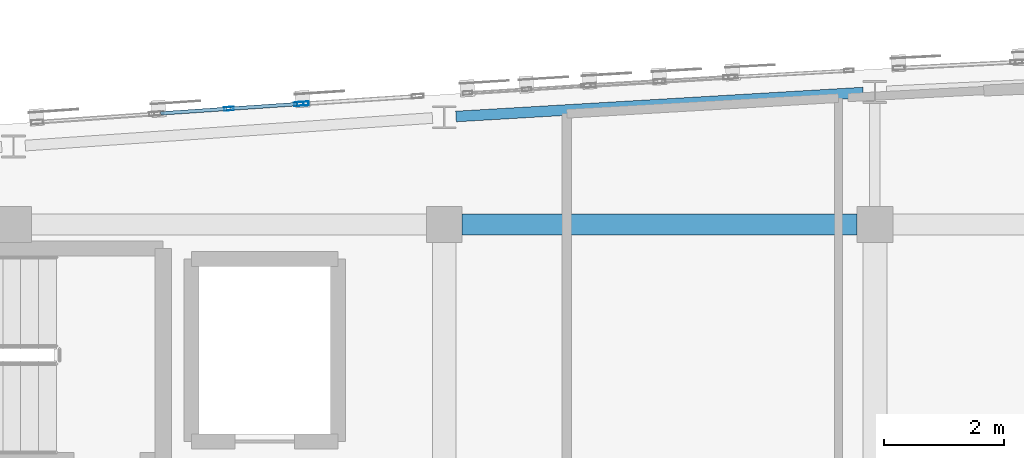
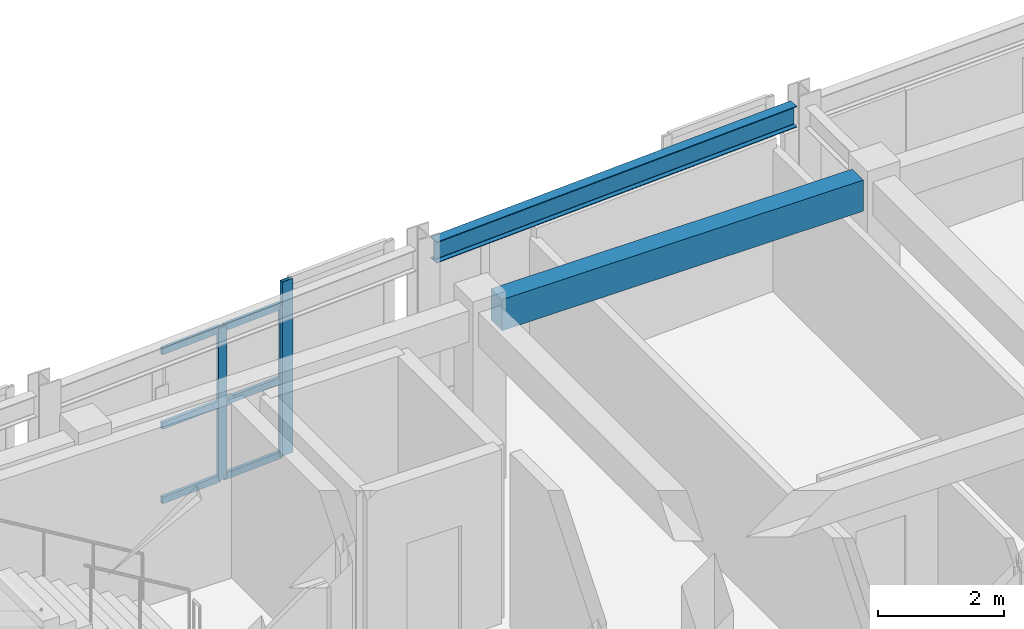
# One storey, part 11 of 45: 9 members, 2 beams, 2 elements without a shape of their own.
"""IFC4 building model written with IfcOpenShell, lengths in metres."""

from ifc_helpers import new_model, si_unit, direction, frame, origin, origin_2d, place, context, subcontext, project, spatial, rectangle, hollow_rectangle, i_section, extrude, material, layer, layer_set, material_profile, profile_set, type_object, element, aggregate, save


model = new_model("IFC4")

# Units and contexts
model_context = context("Model", 3, precision=1e-05, world=origin(), true_north=direction((0.0, 1.0)))
body_context = subcontext(model_context, "Body", "Model", "MODEL_VIEW")
ifc_project = project(units=[si_unit("LENGTHUNIT", "METRE"), si_unit("AREAUNIT", "SQUARE_METRE"), si_unit("VOLUMEUNIT", "CUBIC_METRE"), si_unit("PLANEANGLEUNIT", "RADIAN"), si_unit("MASSUNIT", "GRAM", prefix="KILO")], contexts=[model_context])

# Site, building, storey
site_placement = place(None, origin())
site = spatial("IfcSite", under=ifc_project, at=site_placement, CompositionType="ELEMENT")
building_placement = place(site_placement, origin())
building = spatial("IfcBuilding", under=site, at=building_placement, Name="Carrowvane Square Congress Hotel", CompositionType="ELEMENT")
storey_placement = place(building_placement, frame((0.0, 0.0, 33.60009765625)))
storey = spatial("IfcBuildingStorey", under=building, at=storey_placement, Name="L08", CompositionType="ELEMENT", Elevation=33.60009765625)

# Beams
ifc_material_1 = material(Name="Concrete C35/45", Category="concrete")
ifc_material_profile_1 = material_profile(ifc_material_1, rectangle(XDim=0.35009765625, YDim=0.60009765625, at=origin_2d()), Name="RC 350x600")
ifc_profile_set_1 = profile_set([ifc_material_profile_1], Name="Concrete C35/45")
beam_type_1 = type_object("IfcBeamType", Name="BM-RC-350x600", PredefinedType="BEAM", material=ifc_profile_set_1)
beam_1_placement = place(storey_placement, frame((69.5, 113.39990234375, 3.059814453125), z_axis=(1.0, 0.0, 0.0), x_axis=(0.0, 1.0, 0.0)))
element("IfcBeam", 1, at=beam_1_placement, inside=storey, type_object=beam_type_1, Name="L09 girder R/9-10", PredefinedType="BEAM", context=body_context, shape_type="SweptSolid", body=[
    extrude(rectangle(XDim=0.35009765625, YDim=0.60009765625, at=origin_2d()), origin(), (0.0, 0.0, 1.0), 6.60009765625),
])
ifc_material_2 = material(Name="Steel S355", Category="steel")
ifc_material_profile_2 = material_profile(ifc_material_2, i_section(OverallWidth=0.1787109375, OverallDepth=0.409423828125, WebThickness=0.0087890625, FlangeThickness=0.014404296875, FilletRadius=0.01025390625, at=origin_2d()), Name="UKB 406x178x67")
ifc_profile_set_2 = profile_set([ifc_material_profile_2], Name="Steel S355")
beam_type_2 = type_object("IfcBeamType", Name="BM-ST-UKB406", PredefinedType="BEAM", material=ifc_profile_set_2)
beam_2_placement = place(storey_placement, frame((69.39697265625, 115.205810546875, 3.1552734375), z_axis=(0.998276101502, 0.058692633008, 0.0), x_axis=(-0.058692633008, 0.998276101502, 0.0)))
element("IfcBeam", 2, at=beam_2_placement, inside=storey, type_object=beam_type_2, Name="L09 curved north spandrel", PredefinedType="BEAM", context=body_context, shape_type="SweptSolid", body=[
    extrude(i_section(OverallWidth=0.1787109375, OverallDepth=0.409423828125, WebThickness=0.0087890625, FlangeThickness=0.014404296875, FilletRadius=0.01025390625, at=origin_2d()), origin(), (0.0, 0.0, 1.0), 6.817626953125),
])

# Curtain wall, members
ifc_material_3 = material(Name="Anodised aluminium", Category="aluminium")
ifc_layer_1 = layer(ifc_material_3, 0.2099609375)
ifc_layer_set_1 = layer_set([ifc_layer_1], Name="Anodised aluminium")
curtain_wall_type_1 = type_object("IfcCurtainWallType", Name="CW-SYS-5", PredefinedType="NOTDEFINED", material=ifc_layer_set_1)
curtain_wall_1_placement = place(storey_placement, origin())
curtain_wall_1 = element("IfcCurtainWall", 3, at=curtain_wall_1_placement, inside=storey, type_object=curtain_wall_type_1, Name="L08 unitised curtain wall 468", PredefinedType="NOTDEFINED")
ifc_material_4 = material(Name="Anodised aluminium", Category="aluminium")
ifc_material_profile_3 = material_profile(ifc_material_4, hollow_rectangle(XDim=0.06005859375, YDim=0.159912109375, WallThickness=0.00390625, at=origin_2d()), Name="CW-ML 60x160x4")
ifc_profile_set_3 = profile_set([ifc_material_profile_3], Name="Anodised aluminium")
member_type_1 = type_object("IfcMemberType", Name="CW-MUL-1", PredefinedType="MULLION", material=ifc_profile_set_3)
member_1_placement = place(storey_placement, frame((65.599853515625, 115.33544921875, 0.0), z_axis=(0.0, 0.0, 1.0), x_axis=(-0.067865424104, 0.997694484404, 0.0)))
member_1 = element("IfcMember", 4, at=member_1_placement, type_object=member_type_1, Name="CW-5 mullion 2", PredefinedType="MULLION", context=body_context, shape_type="SweptSolid", body=[
    extrude(hollow_rectangle(XDim=0.06005859375, YDim=0.159912109375, WallThickness=0.00390625, at=origin_2d()), origin(), (0.0, 0.0, 1.0), 2.935546875),
])
member_2_placement = place(storey_placement, frame((66.77001953125, 115.4150390625, 0.0), z_axis=(0.0, 0.0, 1.0), x_axis=(-0.067865424104, 0.997694484404, 0.0)))
member_2 = element("IfcMember", 5, at=member_2_placement, type_object=member_type_1, Name="CW-5 mullion 3", PredefinedType="MULLION", context=body_context, shape_type="SweptSolid", body=[
    extrude(hollow_rectangle(XDim=0.06005859375, YDim=0.159912109375, WallThickness=0.00390625, at=origin_2d()), origin(), (0.0, 0.0, 1.0), 2.935546875),
])

# Curtain wall, member
ifc_material_5 = material(Name="Anodised aluminium", Category="aluminium")
ifc_layer_2 = layer(ifc_material_5, 0.221923828125)
ifc_layer_set_2 = layer_set([ifc_layer_2], Name="Anodised aluminium")
curtain_wall_type_2 = type_object("IfcCurtainWallType", Name="CW-SYS-6", PredefinedType="NOTDEFINED", material=ifc_layer_set_2)
curtain_wall_2_placement = place(storey_placement, origin())
curtain_wall_2 = element("IfcCurtainWall", 6, at=curtain_wall_2_placement, inside=storey, type_object=curtain_wall_type_2, Name="L08 unitised curtain wall 469", PredefinedType="NOTDEFINED")
ifc_material_6 = material(Name="Anodised aluminium", Category="aluminium")
ifc_material_profile_4 = material_profile(ifc_material_6, hollow_rectangle(XDim=0.070068359375, YDim=0.199951171875, WallThickness=0.0048828125, at=origin_2d()), Name="CW-ML 70x200x5")
ifc_profile_set_4 = profile_set([ifc_material_profile_4], Name="Anodised aluminium")
member_type_2 = type_object("IfcMemberType", Name="CW-MUL-2", PredefinedType="MULLION", material=ifc_profile_set_4)
member_3_placement = place(storey_placement, frame((66.8349609375, 115.419189453125, 0.0), z_axis=(0.0, 0.0, 1.0), x_axis=(-0.065412223074, 0.997858327155, 0.0)))
member_3 = element("IfcMember", 7, at=member_3_placement, type_object=member_type_2, Name="CW-6 mullion 1", PredefinedType="MULLION", context=body_context, shape_type="SweptSolid", body=[
    extrude(hollow_rectangle(XDim=0.070068359375, YDim=0.199951171875, WallThickness=0.0048828125, at=origin_2d()), origin(), (0.0, 0.0, 1.0), 3.35986328125),
])
aggregate(curtain_wall_2, [member_3])

# Member
ifc_material_7 = material(Name="Anodised aluminium", Category="aluminium")
ifc_material_profile_5 = material_profile(ifc_material_7, hollow_rectangle(XDim=0.06005859375, YDim=0.1298828125, WallThickness=0.00390625, at=origin_2d()), Name="CW-TR 60x130x4")
ifc_profile_set_5 = profile_set([ifc_material_profile_5], Name="Anodised aluminium")
member_type_3 = type_object("IfcMemberType", Name="CW-TRN-1", PredefinedType="USERDEFINED", material=ifc_profile_set_5)
member_4_placement = place(storey_placement, frame((64.4599609375, 115.2578125, 0.02978515625), z_axis=(0.997698897284, 0.067800518861, 0.0), x_axis=(-0.067800518861, 0.997698897284, 0.0)))
member_4 = element("IfcMember", 8, at=member_4_placement, type_object=member_type_3, Name="CW-5 transom 1.1", ObjectType="TRANSOM", PredefinedType="USERDEFINED", context=body_context, shape_type="SweptSolid", body=[
    extrude(hollow_rectangle(XDim=0.06005859375, YDim=0.1298828125, WallThickness=0.00390625, at=origin_2d()), origin(), (0.0, 0.0, 1.0), 1.112548828125),
])

member_5_placement = place(storey_placement, frame((64.4599609375, 115.2578125, 1.4677734375), z_axis=(0.997698897284, 0.067800518861, 0.0), x_axis=(-0.067800518861, 0.997698897284, 0.0)))
member_5 = element("IfcMember", 9, at=member_5_placement, type_object=member_type_3, Name="CW-5 transom 1.2", ObjectType="TRANSOM", PredefinedType="USERDEFINED", context=body_context, shape_type="SweptSolid", body=[
    extrude(hollow_rectangle(XDim=0.06005859375, YDim=0.1298828125, WallThickness=0.00390625, at=origin_2d()), origin(), (0.0, 0.0, 1.0), 1.112548828125),
])

member_6_placement = place(storey_placement, frame((64.4599609375, 115.2578125, 2.905517578125), z_axis=(0.997698897284, 0.067800518861, 0.0), x_axis=(-0.067800518861, 0.997698897284, 0.0)))
member_6 = element("IfcMember", 10, at=member_6_placement, type_object=member_type_3, Name="CW-5 transom 1.3", ObjectType="TRANSOM", PredefinedType="USERDEFINED", context=body_context, shape_type="SweptSolid", body=[
    extrude(hollow_rectangle(XDim=0.06005859375, YDim=0.1298828125, WallThickness=0.00390625, at=origin_2d()), origin(), (0.0, 0.0, 1.0), 1.112548828125),
])

member_7_placement = place(storey_placement, frame((65.6298828125, 115.33740234375, 0.02978515625), z_axis=(0.997698897284, 0.067800518861, 0.0), x_axis=(-0.067800518861, 0.997698897284, 0.0)))
member_7 = element("IfcMember", 11, at=member_7_placement, type_object=member_type_3, Name="CW-5 transom 2.1", ObjectType="TRANSOM", PredefinedType="USERDEFINED", context=body_context, shape_type="SweptSolid", body=[
    extrude(hollow_rectangle(XDim=0.06005859375, YDim=0.1298828125, WallThickness=0.00390625, at=origin_2d()), origin(), (0.0, 0.0, 1.0), 1.112548828125),
])

member_8_placement = place(storey_placement, frame((65.6298828125, 115.33740234375, 1.4677734375), z_axis=(0.997698897284, 0.067800518861, 0.0), x_axis=(-0.067800518861, 0.997698897284, 0.0)))
member_8 = element("IfcMember", 12, at=member_8_placement, type_object=member_type_3, Name="CW-5 transom 2.2", ObjectType="TRANSOM", PredefinedType="USERDEFINED", context=body_context, shape_type="SweptSolid", body=[
    extrude(hollow_rectangle(XDim=0.06005859375, YDim=0.1298828125, WallThickness=0.00390625, at=origin_2d()), origin(), (0.0, 0.0, 1.0), 1.112548828125),
])

member_9_placement = place(storey_placement, frame((65.6298828125, 115.33740234375, 2.905517578125), z_axis=(0.997698897284, 0.067800518861, 0.0), x_axis=(-0.067800518861, 0.997698897284, 0.0)))
member_9 = element("IfcMember", 13, at=member_9_placement, type_object=member_type_3, Name="CW-5 transom 2.3", ObjectType="TRANSOM", PredefinedType="USERDEFINED", context=body_context, shape_type="SweptSolid", body=[
    extrude(hollow_rectangle(XDim=0.06005859375, YDim=0.1298828125, WallThickness=0.00390625, at=origin_2d()), origin(), (0.0, 0.0, 1.0), 1.112548828125),
])

aggregate(curtain_wall_1, [member_1, member_2, member_4, member_5, member_6, member_7, member_8, member_9])

save(model, "model.ifc")
